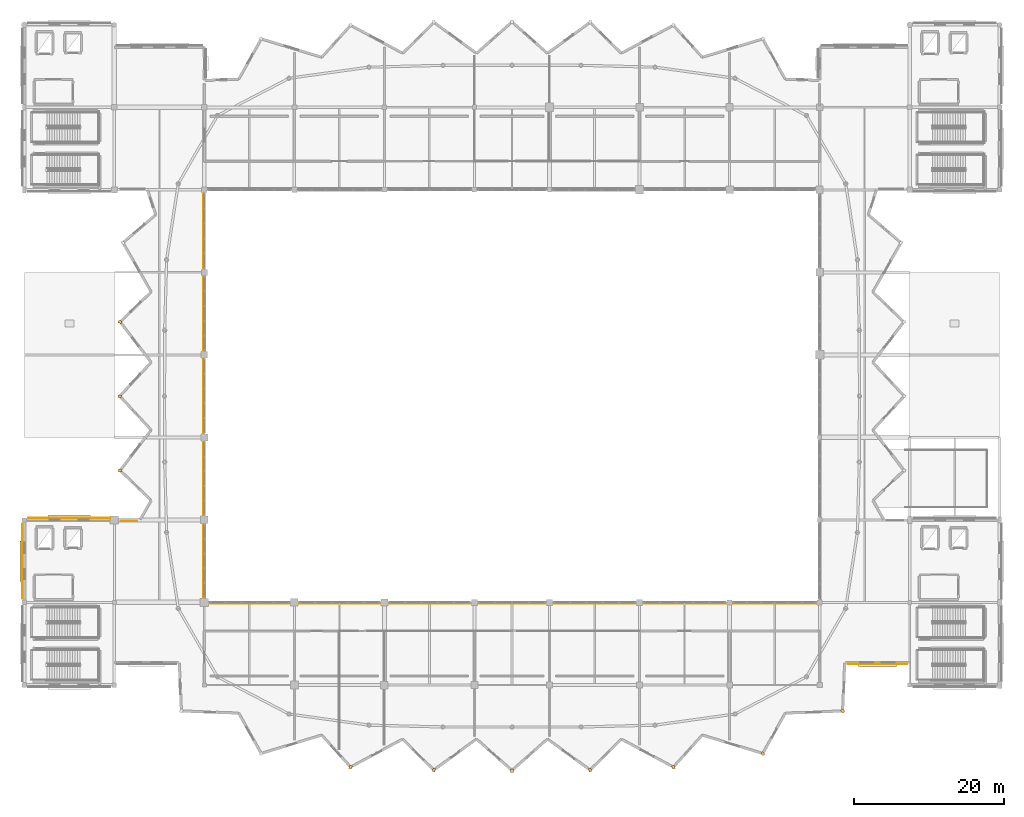
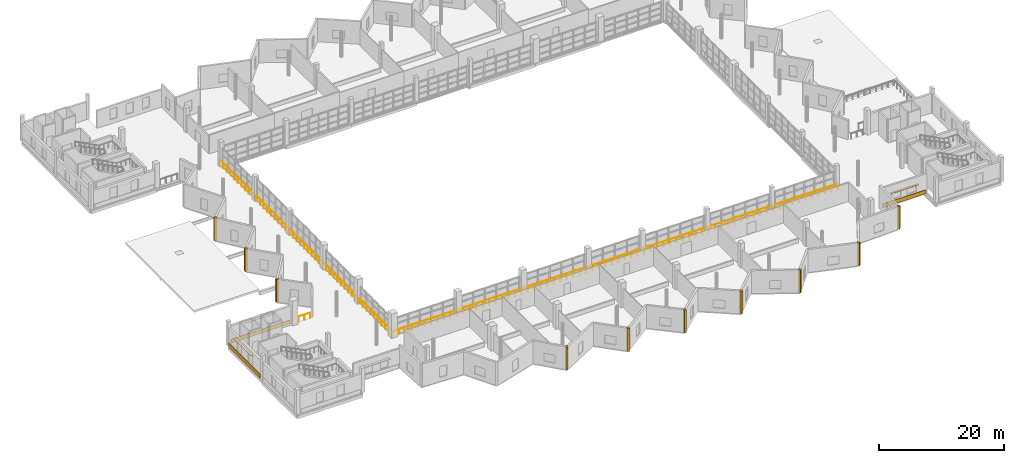
# One storey, part 47 of 53: 16 coverings, 3 railings.
"""IFC4 building model written with IfcOpenShell, lengths in metres."""

from ifc_helpers import new_model, si_unit, direction, frame, origin, origin_2d, place, context, subcontext, project, spatial, rectangle, circle, extrude, material, layer, layer_set, type_object, element, save


model = new_model("IFC4")

# Units and contexts
model_context = context("Model", 3, precision=1e-05, world=origin(), true_north=direction((0.0, 1.0)))
body_context = subcontext(model_context, "Body", "Model", "MODEL_VIEW")
ifc_project = project(units=[si_unit("LENGTHUNIT", "METRE"), si_unit("AREAUNIT", "SQUARE_METRE"), si_unit("VOLUMEUNIT", "CUBIC_METRE"), si_unit("PLANEANGLEUNIT", "RADIAN"), si_unit("MASSUNIT", "GRAM", prefix="KILO")], contexts=[model_context])

# Site, building, storey
site_placement = place(None, origin())
site = spatial("IfcSite", under=ifc_project, at=site_placement, CompositionType="ELEMENT")
building_placement = place(site_placement, origin())
building = spatial("IfcBuilding", under=site, at=building_placement, Name="Luwafu Chhajja Arena", CompositionType="ELEMENT")
storey_placement = place(building_placement, frame((0.0, 0.0, 19.5)))
storey = spatial("IfcBuildingStorey", under=building, at=storey_placement, Name="L04", CompositionType="ELEMENT", Elevation=19.5)

# Coverings
ifc_material_1 = material(Name="Red laterite sandstone cladding", Category="masonry")
ifc_layer = layer(ifc_material_1, 0.074951171875, Name="Red laterite sandstone cladding")
ifc_layer_set = layer_set([ifc_layer], Name="Red laterite sandstone cladding")
covering_type = type_object("IfcCoveringType", Name="Dressed Red-Laterite Sandstone Cladding", PredefinedType="CLADDING", material=ifc_layer_set)
for number, where, z_axis, x_axis, name in (
    (1, (46.750244140625, 59.396240234375, 0.0), (0.0, 0.0, 1.0), (-0.982532090849, 0.186093230539, 0.0), "L04 Pleated Bowl Sandstone Ridge Fin 16"),
    (2, (46.699951171875, 49.5, 0.0), (0.0, 0.0, 1.0), (-1.0, 0.0, 0.0), "L04 Pleated Bowl Sandstone Ridge Fin 17"),
    (3, (46.750244140625, 39.603759765625, 0.0), (0.0, 0.0, 1.0), (-0.982532090849, -0.186093230539, 0.0), "L04 Pleated Bowl Sandstone Ridge Fin 18"),
    (4, (77.489013671875, 0.051025390625, 0.0), (0.0, 0.0, 1.0), (-0.398902881432, -0.916993179465, 0.0), "L04 Pleated Bowl Sandstone Ridge Fin 23"),
    (5, (88.587890625, -0.3427734375, 0.0), (0.0, 0.0, 1.0), (-0.20448508974, -0.9788696788, 0.0), "L04 Pleated Bowl Sandstone Ridge Fin 24"),
    (6, (99.0, -0.39990234375, 0.0), (0.0, 0.0, 1.0), (0.0, -1.0, 0.0), "L04 Pleated Bowl Sandstone Ridge Fin 25"),
    (7, (109.412109375, -0.3427734375, 0.0), (0.0, 0.0, 1.0), (0.20448508974, -0.9788696788, 0.0), "L04 Pleated Bowl Sandstone Ridge Fin 26"),
    (8, (120.510986328125, 0.051025390625, 0.0), (0.0, 0.0, 1.0), (0.398902881432, -0.916993179465, 0.0), "L04 Pleated Bowl Sandstone Ridge Fin 27"),
    (9, (132.427490234375, 1.864013671875, 0.0), (0.0, 0.0, 1.0), (0.574411104334, -0.818566969293, 0.0), "L04 Pleated Bowl Sandstone Ridge Fin 28"),
    (10, (143.08349609375, 7.52392578125, 0.0), (0.0, 0.0, 1.0), (0.724206686844, -0.689582971607, 0.0), "L04 Pleated Bowl Sandstone Ridge Fin 29"),
):
    element("IfcCovering", number, at=place(storey_placement, frame(where, z_axis=z_axis, x_axis=x_axis)), inside=storey, type_object=covering_type, Name=name, PredefinedType="CLADDING", context=body_context, shape_type="SweptSolid", body=[
        extrude(rectangle(XDim=0.4599609375, YDim=0.360107421875, at=origin_2d()), origin(), (0.0, 0.0, 1.0), 4.455078125),
    ])
covering_1_placement = place(storey_placement, frame((40.0, 33.23193359375, 0.0), z_axis=(0.0, 0.0, 1.0), x_axis=(1.0, 0.0, 0.0)))
element("IfcCovering", 11, at=covering_1_placement, inside=storey, type_object=covering_type, Name="L04 Red-Laterite Sandstone Plinth Cladding 106", PredefinedType="CLADDING", context=body_context, shape_type="SweptSolid", body=[
    extrude(rectangle(XDim=10.9599609375, YDim=0.0849609375, at=origin_2d()), origin(), (0.0, 0.0, 1.0), 0.760009765625),
])
covering_2_placement = place(storey_placement, frame((40.0, 33.360107421875, 2.93017578125), z_axis=(0.0, 0.0, 1.0), x_axis=(1.0, 0.0, 0.0)))
element("IfcCovering", 12, at=covering_2_placement, inside=storey, type_object=covering_type, Name="L04 Mughal Sandstone Window Chhajja Hood 0098", PredefinedType="CLADDING", context=body_context, shape_type="SweptSolid", body=[
    extrude(rectangle(XDim=5.703369140625, YDim=0.419921875, at=origin_2d()), origin(), (0.0, 0.0, 1.0), 0.139892578125),
])
covering_3_placement = place(storey_placement, frame((33.76806640625, 27.5, 0.0), z_axis=(0.0, 0.0, 1.0), x_axis=(0.0, 1.0, 0.0)))
element("IfcCovering", 13, at=covering_3_placement, inside=storey, type_object=covering_type, Name="L04 Red-Laterite Sandstone Plinth Cladding 107", PredefinedType="CLADDING", context=body_context, shape_type="SweptSolid", body=[
    extrude(rectangle(XDim=9.9599609375, YDim=0.0849609375, at=origin_2d()), origin(), (0.0, 0.0, 1.0), 0.760009765625),
])
covering_4_placement = place(storey_placement, frame((33.639892578125, 27.5, 2.93017578125), z_axis=(0.0, 0.0, 1.0), x_axis=(0.0, 1.0, 0.0)))
element("IfcCovering", 14, at=covering_4_placement, inside=storey, type_object=covering_type, Name="L04 Mughal Sandstone Window Chhajja Hood 0099", PredefinedType="CLADDING", context=body_context, shape_type="SweptSolid", body=[
    extrude(rectangle(XDim=5.3701171875, YDim=0.419921875, at=origin_2d()), origin(), (0.0, 0.0, 1.0), 0.139892578125),
])
covering_5_placement = place(storey_placement, frame((147.712890625, 13.80810546875, 0.0), z_axis=(0.0, 0.0, 1.0), x_axis=(1.0, 0.0, 0.0)))
element("IfcCovering", 15, at=covering_5_placement, inside=storey, type_object=covering_type, Name="L04 Red-Laterite Sandstone Plinth Cladding 115", PredefinedType="CLADDING", context=body_context, shape_type="SweptSolid", body=[
    extrude(rectangle(XDim=7.97412109375, YDim=0.0849609375, at=origin_2d()), origin(), (0.0, 0.0, 1.0), 0.760009765625),
])
covering_6_placement = place(storey_placement, frame((147.712890625, 13.679931640625, 2.330078125), z_axis=(0.0, 0.0, 1.0), x_axis=(1.0, 0.0, 0.0)))
element("IfcCovering", 16, at=covering_6_placement, inside=storey, type_object=covering_type, Name="L04 Mughal Sandstone Window Chhajja Hood 0107", PredefinedType="CLADDING", context=body_context, shape_type="SweptSolid", body=[
    extrude(rectangle(XDim=5.05810546875, YDim=0.419921875, at=origin_2d()), origin(), (0.0, 0.0, 1.0), 0.139892578125),
])

# Railings
ifc_material_2 = material(Name="Stainless steel balustrade", Category="steel")
railing_type_1 = type_object("IfcRailingType", Name="Seating Bowl Sightline Barrier 1100", PredefinedType="BALUSTRADE", material=ifc_material_2)
railing_1_placement = place(storey_placement, frame((57.85009765625, 21.85009765625, 0.0)))
element("IfcRailing", 17, at=railing_1_placement, inside=storey, type_object=railing_type_1, Name="L04 Bowl Rim Guard 0040", PredefinedType="BALUSTRADE", context=body_context, shape_type="SweptSolid", body=[
    extrude(circle(Radius=0.02392578125, at=origin_2d()), frame((0.0, 0.0, 1.09619140625), z_axis=(1.0, 0.0, 0.0), x_axis=(0.0, 1.0, 0.0)), (0.0, 0.0, 1.0), 82.2998046875),
    extrude(circle(Radius=0.02099609375, at=origin_2d()), origin(), (0.0, 0.0, 1.0), 1.072021484375),
    extrude(circle(Radius=0.02099609375, at=origin_2d()), frame((1.19287109375, 0.0, 0.0)), (0.0, 0.0, 1.0), 1.072021484375),
    extrude(circle(Radius=0.02099609375, at=origin_2d()), frame((2.385498046875, 0.0, 0.0)), (0.0, 0.0, 1.0), 1.072021484375),
    extrude(circle(Radius=0.02099609375, at=origin_2d()), frame((3.578369140625, 0.0, 0.0)), (0.0, 0.0, 1.0), 1.072021484375),
    extrude(circle(Radius=0.02099609375, at=origin_2d()), frame((4.77099609375, 0.0, 0.0)), (0.0, 0.0, 1.0), 1.072021484375),
    extrude(circle(Radius=0.02099609375, at=origin_2d()), frame((5.9638671875, 0.0, 0.0)), (0.0, 0.0, 1.0), 1.072021484375),
    extrude(circle(Radius=0.02099609375, at=origin_2d()), frame((7.156494140625, 0.0, 0.0)), (0.0, 0.0, 1.0), 1.072021484375),
    extrude(circle(Radius=0.02099609375, at=origin_2d()), frame((8.349365234375, 0.0, 0.0)), (0.0, 0.0, 1.0), 1.072021484375),
    extrude(circle(Radius=0.02099609375, at=origin_2d()), frame((9.5419921875, 0.0, 0.0)), (0.0, 0.0, 1.0), 1.072021484375),
    extrude(circle(Radius=0.02099609375, at=origin_2d()), frame((10.73486328125, 0.0, 0.0)), (0.0, 0.0, 1.0), 1.072021484375),
    extrude(circle(Radius=0.02099609375, at=origin_2d()), frame((11.927490234375, 0.0, 0.0)), (0.0, 0.0, 1.0), 1.072021484375),
    extrude(circle(Radius=0.02099609375, at=origin_2d()), frame((13.120361328125, 0.0, 0.0)), (0.0, 0.0, 1.0), 1.072021484375),
    extrude(circle(Radius=0.02099609375, at=origin_2d()), frame((14.31298828125, 0.0, 0.0)), (0.0, 0.0, 1.0), 1.072021484375),
    extrude(circle(Radius=0.02099609375, at=origin_2d()), frame((15.505859375, 0.0, 0.0)), (0.0, 0.0, 1.0), 1.072021484375),
    extrude(circle(Radius=0.02099609375, at=origin_2d()), frame((16.698486328125, 0.0, 0.0)), (0.0, 0.0, 1.0), 1.072021484375),
    extrude(circle(Radius=0.02099609375, at=origin_2d()), frame((17.891357421875, 0.0, 0.0)), (0.0, 0.0, 1.0), 1.072021484375),
    extrude(circle(Radius=0.02099609375, at=origin_2d()), frame((19.083984375, 0.0, 0.0)), (0.0, 0.0, 1.0), 1.072021484375),
    extrude(circle(Radius=0.02099609375, at=origin_2d()), frame((20.27685546875, 0.0, 0.0)), (0.0, 0.0, 1.0), 1.072021484375),
    extrude(circle(Radius=0.02099609375, at=origin_2d()), frame((21.469482421875, 0.0, 0.0)), (0.0, 0.0, 1.0), 1.072021484375),
    extrude(circle(Radius=0.02099609375, at=origin_2d()), frame((22.662353515625, 0.0, 0.0)), (0.0, 0.0, 1.0), 1.072021484375),
    extrude(circle(Radius=0.02099609375, at=origin_2d()), frame((23.85498046875, 0.0, 0.0)), (0.0, 0.0, 1.0), 1.072021484375),
    extrude(circle(Radius=0.02099609375, at=origin_2d()), frame((25.0478515625, 0.0, 0.0)), (0.0, 0.0, 1.0), 1.072021484375),
    extrude(circle(Radius=0.02099609375, at=origin_2d()), frame((26.240478515625, 0.0, 0.0)), (0.0, 0.0, 1.0), 1.072021484375),
    extrude(circle(Radius=0.02099609375, at=origin_2d()), frame((27.433349609375, 0.0, 0.0)), (0.0, 0.0, 1.0), 1.072021484375),
    extrude(circle(Radius=0.02099609375, at=origin_2d()), frame((28.6259765625, 0.0, 0.0)), (0.0, 0.0, 1.0), 1.072021484375),
    extrude(circle(Radius=0.02099609375, at=origin_2d()), frame((29.81884765625, 0.0, 0.0)), (0.0, 0.0, 1.0), 1.072021484375),
    extrude(circle(Radius=0.02099609375, at=origin_2d()), frame((31.011474609375, 0.0, 0.0)), (0.0, 0.0, 1.0), 1.072021484375),
    extrude(circle(Radius=0.02099609375, at=origin_2d()), frame((32.204345703125, 0.0, 0.0)), (0.0, 0.0, 1.0), 1.072021484375),
    extrude(circle(Radius=0.02099609375, at=origin_2d()), frame((33.39697265625, 0.0, 0.0)), (0.0, 0.0, 1.0), 1.072021484375),
    extrude(circle(Radius=0.02099609375, at=origin_2d()), frame((34.58984375, 0.0, 0.0)), (0.0, 0.0, 1.0), 1.072021484375),
    extrude(circle(Radius=0.02099609375, at=origin_2d()), frame((35.782470703125, 0.0, 0.0)), (0.0, 0.0, 1.0), 1.072021484375),
    extrude(circle(Radius=0.02099609375, at=origin_2d()), frame((36.975341796875, 0.0, 0.0)), (0.0, 0.0, 1.0), 1.072021484375),
    extrude(circle(Radius=0.02099609375, at=origin_2d()), frame((38.16796875, 0.0, 0.0)), (0.0, 0.0, 1.0), 1.072021484375),
    extrude(circle(Radius=0.02099609375, at=origin_2d()), frame((39.36083984375, 0.0, 0.0)), (0.0, 0.0, 1.0), 1.072021484375),
    extrude(circle(Radius=0.02099609375, at=origin_2d()), frame((40.553466796875, 0.0, 0.0)), (0.0, 0.0, 1.0), 1.072021484375),
    extrude(circle(Radius=0.02099609375, at=origin_2d()), frame((41.746337890625, 0.0, 0.0)), (0.0, 0.0, 1.0), 1.072021484375),
    extrude(circle(Radius=0.02099609375, at=origin_2d()), frame((42.93896484375, 0.0, 0.0)), (0.0, 0.0, 1.0), 1.072021484375),
    extrude(circle(Radius=0.02099609375, at=origin_2d()), frame((44.1318359375, 0.0, 0.0)), (0.0, 0.0, 1.0), 1.072021484375),
    extrude(circle(Radius=0.02099609375, at=origin_2d()), frame((45.324462890625, 0.0, 0.0)), (0.0, 0.0, 1.0), 1.072021484375),
    extrude(circle(Radius=0.02099609375, at=origin_2d()), frame((46.517333984375, 0.0, 0.0)), (0.0, 0.0, 1.0), 1.072021484375),
    extrude(circle(Radius=0.02099609375, at=origin_2d()), frame((47.7099609375, 0.0, 0.0)), (0.0, 0.0, 1.0), 1.072021484375),
    extrude(circle(Radius=0.02099609375, at=origin_2d()), frame((48.90283203125, 0.0, 0.0)), (0.0, 0.0, 1.0), 1.072021484375),
    extrude(circle(Radius=0.02099609375, at=origin_2d()), frame((50.095458984375, 0.0, 0.0)), (0.0, 0.0, 1.0), 1.072021484375),
    extrude(circle(Radius=0.02099609375, at=origin_2d()), frame((51.288330078125, 0.0, 0.0)), (0.0, 0.0, 1.0), 1.072021484375),
    extrude(circle(Radius=0.02099609375, at=origin_2d()), frame((52.48095703125, 0.0, 0.0)), (0.0, 0.0, 1.0), 1.072021484375),
    extrude(circle(Radius=0.02099609375, at=origin_2d()), frame((53.673828125, 0.0, 0.0)), (0.0, 0.0, 1.0), 1.072021484375),
    extrude(circle(Radius=0.02099609375, at=origin_2d()), frame((54.866455078125, 0.0, 0.0)), (0.0, 0.0, 1.0), 1.072021484375),
    extrude(circle(Radius=0.02099609375, at=origin_2d()), frame((56.059326171875, 0.0, 0.0)), (0.0, 0.0, 1.0), 1.072021484375),
    extrude(circle(Radius=0.02099609375, at=origin_2d()), frame((57.251953125, 0.0, 0.0)), (0.0, 0.0, 1.0), 1.072021484375),
    extrude(circle(Radius=0.02099609375, at=origin_2d()), frame((58.44482421875, 0.0, 0.0)), (0.0, 0.0, 1.0), 1.072021484375),
    extrude(circle(Radius=0.02099609375, at=origin_2d()), frame((59.637451171875, 0.0, 0.0)), (0.0, 0.0, 1.0), 1.072021484375),
    extrude(circle(Radius=0.02099609375, at=origin_2d()), frame((60.830322265625, 0.0, 0.0)), (0.0, 0.0, 1.0), 1.072021484375),
    extrude(circle(Radius=0.02099609375, at=origin_2d()), frame((62.02294921875, 0.0, 0.0)), (0.0, 0.0, 1.0), 1.072021484375),
    extrude(circle(Radius=0.02099609375, at=origin_2d()), frame((63.2158203125, 0.0, 0.0)), (0.0, 0.0, 1.0), 1.072021484375),
    extrude(circle(Radius=0.02099609375, at=origin_2d()), frame((64.408447265625, 0.0, 0.0)), (0.0, 0.0, 1.0), 1.072021484375),
    extrude(circle(Radius=0.02099609375, at=origin_2d()), frame((65.601318359375, 0.0, 0.0)), (0.0, 0.0, 1.0), 1.072021484375),
    extrude(circle(Radius=0.02099609375, at=origin_2d()), frame((66.7939453125, 0.0, 0.0)), (0.0, 0.0, 1.0), 1.072021484375),
    extrude(circle(Radius=0.02099609375, at=origin_2d()), frame((67.98681640625, 0.0, 0.0)), (0.0, 0.0, 1.0), 1.072021484375),
    extrude(circle(Radius=0.02099609375, at=origin_2d()), frame((69.179443359375, 0.0, 0.0)), (0.0, 0.0, 1.0), 1.072021484375),
    extrude(circle(Radius=0.02099609375, at=origin_2d()), frame((70.372314453125, 0.0, 0.0)), (0.0, 0.0, 1.0), 1.072021484375),
    extrude(circle(Radius=0.02099609375, at=origin_2d()), frame((71.56494140625, 0.0, 0.0)), (0.0, 0.0, 1.0), 1.072021484375),
    extrude(circle(Radius=0.02099609375, at=origin_2d()), frame((72.7578125, 0.0, 0.0)), (0.0, 0.0, 1.0), 1.072021484375),
    extrude(circle(Radius=0.02099609375, at=origin_2d()), frame((73.950439453125, 0.0, 0.0)), (0.0, 0.0, 1.0), 1.072021484375),
    extrude(circle(Radius=0.02099609375, at=origin_2d()), frame((75.143310546875, 0.0, 0.0)), (0.0, 0.0, 1.0), 1.072021484375),
    extrude(circle(Radius=0.02099609375, at=origin_2d()), frame((76.3359375, 0.0, 0.0)), (0.0, 0.0, 1.0), 1.072021484375),
    extrude(circle(Radius=0.02099609375, at=origin_2d()), frame((77.52880859375, 0.0, 0.0)), (0.0, 0.0, 1.0), 1.072021484375),
    extrude(circle(Radius=0.02099609375, at=origin_2d()), frame((78.721435546875, 0.0, 0.0)), (0.0, 0.0, 1.0), 1.072021484375),
    extrude(circle(Radius=0.02099609375, at=origin_2d()), frame((79.914306640625, 0.0, 0.0)), (0.0, 0.0, 1.0), 1.072021484375),
    extrude(circle(Radius=0.02099609375, at=origin_2d()), frame((81.10693359375, 0.0, 0.0)), (0.0, 0.0, 1.0), 1.072021484375),
    extrude(circle(Radius=0.02099609375, at=origin_2d()), frame((82.2998046875, 0.0, 0.0)), (0.0, 0.0, 1.0), 1.072021484375),
])
railing_2_placement = place(storey_placement, frame((57.85009765625, 77.14990234375, 0.0)))
element("IfcRailing", 18, at=railing_2_placement, inside=storey, type_object=railing_type_1, Name="L04 Bowl Rim Guard 0043", PredefinedType="BALUSTRADE", context=body_context, shape_type="SweptSolid", body=[
    extrude(circle(Radius=0.02392578125, at=origin_2d()), frame((0.0, 0.0, 1.09619140625), z_axis=(0.0, -1.0, 0.0), x_axis=(1.0, 0.0, 0.0)), (0.0, 0.0, 1.0), 55.2998046875),
    extrude(circle(Radius=0.02099609375, at=origin_2d()), origin(), (0.0, 0.0, 1.0), 1.072021484375),
    extrude(circle(Radius=0.02099609375, at=origin_2d()), frame((0.0, -1.176513671875, 0.0)), (0.0, 0.0, 1.0), 1.072021484375),
    extrude(circle(Radius=0.02099609375, at=origin_2d()), frame((0.0, -2.353271484375, 0.0)), (0.0, 0.0, 1.0), 1.072021484375),
    extrude(circle(Radius=0.02099609375, at=origin_2d()), frame((0.0, -3.52978515625, 0.0)), (0.0, 0.0, 1.0), 1.072021484375),
    extrude(circle(Radius=0.02099609375, at=origin_2d()), frame((0.0, -4.706298828125, 0.0)), (0.0, 0.0, 1.0), 1.072021484375),
    extrude(circle(Radius=0.02099609375, at=origin_2d()), frame((0.0, -5.883056640625, 0.0)), (0.0, 0.0, 1.0), 1.072021484375),
    extrude(circle(Radius=0.02099609375, at=origin_2d()), frame((0.0, -7.0595703125, 0.0)), (0.0, 0.0, 1.0), 1.072021484375),
    extrude(circle(Radius=0.02099609375, at=origin_2d()), frame((0.0, -8.236083984375, 0.0)), (0.0, 0.0, 1.0), 1.072021484375),
    extrude(circle(Radius=0.02099609375, at=origin_2d()), frame((0.0, -9.412841796875, 0.0)), (0.0, 0.0, 1.0), 1.072021484375),
    extrude(circle(Radius=0.02099609375, at=origin_2d()), frame((0.0, -10.58935546875, 0.0)), (0.0, 0.0, 1.0), 1.072021484375),
    extrude(circle(Radius=0.02099609375, at=origin_2d()), frame((0.0, -11.765869140625, 0.0)), (0.0, 0.0, 1.0), 1.072021484375),
    extrude(circle(Radius=0.02099609375, at=origin_2d()), frame((0.0, -12.942626953125, 0.0)), (0.0, 0.0, 1.0), 1.072021484375),
    extrude(circle(Radius=0.02099609375, at=origin_2d()), frame((0.0, -14.119140625, 0.0)), (0.0, 0.0, 1.0), 1.072021484375),
    extrude(circle(Radius=0.02099609375, at=origin_2d()), frame((0.0, -15.295654296875, 0.0)), (0.0, 0.0, 1.0), 1.072021484375),
    extrude(circle(Radius=0.02099609375, at=origin_2d()), frame((0.0, -16.47216796875, 0.0)), (0.0, 0.0, 1.0), 1.072021484375),
    extrude(circle(Radius=0.02099609375, at=origin_2d()), frame((0.0, -17.64892578125, 0.0)), (0.0, 0.0, 1.0), 1.072021484375),
    extrude(circle(Radius=0.02099609375, at=origin_2d()), frame((0.0, -18.825439453125, 0.0)), (0.0, 0.0, 1.0), 1.072021484375),
    extrude(circle(Radius=0.02099609375, at=origin_2d()), frame((0.0, -20.001953125, 0.0)), (0.0, 0.0, 1.0), 1.072021484375),
    extrude(circle(Radius=0.02099609375, at=origin_2d()), frame((0.0, -21.1787109375, 0.0)), (0.0, 0.0, 1.0), 1.072021484375),
    extrude(circle(Radius=0.02099609375, at=origin_2d()), frame((0.0, -22.355224609375, 0.0)), (0.0, 0.0, 1.0), 1.072021484375),
    extrude(circle(Radius=0.02099609375, at=origin_2d()), frame((0.0, -23.53173828125, 0.0)), (0.0, 0.0, 1.0), 1.072021484375),
    extrude(circle(Radius=0.02099609375, at=origin_2d()), frame((0.0, -24.70849609375, 0.0)), (0.0, 0.0, 1.0), 1.072021484375),
    extrude(circle(Radius=0.02099609375, at=origin_2d()), frame((0.0, -25.885009765625, 0.0)), (0.0, 0.0, 1.0), 1.072021484375),
    extrude(circle(Radius=0.02099609375, at=origin_2d()), frame((0.0, -27.0615234375, 0.0)), (0.0, 0.0, 1.0), 1.072021484375),
    extrude(circle(Radius=0.02099609375, at=origin_2d()), frame((0.0, -28.23828125, 0.0)), (0.0, 0.0, 1.0), 1.072021484375),
    extrude(circle(Radius=0.02099609375, at=origin_2d()), frame((0.0, -29.414794921875, 0.0)), (0.0, 0.0, 1.0), 1.072021484375),
    extrude(circle(Radius=0.02099609375, at=origin_2d()), frame((0.0, -30.59130859375, 0.0)), (0.0, 0.0, 1.0), 1.072021484375),
    extrude(circle(Radius=0.02099609375, at=origin_2d()), frame((0.0, -31.76806640625, 0.0)), (0.0, 0.0, 1.0), 1.072021484375),
    extrude(circle(Radius=0.02099609375, at=origin_2d()), frame((0.0, -32.944580078125, 0.0)), (0.0, 0.0, 1.0), 1.072021484375),
    extrude(circle(Radius=0.02099609375, at=origin_2d()), frame((0.0, -34.12109375, 0.0)), (0.0, 0.0, 1.0), 1.072021484375),
    extrude(circle(Radius=0.02099609375, at=origin_2d()), frame((0.0, -35.2978515625, 0.0)), (0.0, 0.0, 1.0), 1.072021484375),
    extrude(circle(Radius=0.02099609375, at=origin_2d()), frame((0.0, -36.474365234375, 0.0)), (0.0, 0.0, 1.0), 1.072021484375),
    extrude(circle(Radius=0.02099609375, at=origin_2d()), frame((0.0, -37.65087890625, 0.0)), (0.0, 0.0, 1.0), 1.072021484375),
    extrude(circle(Radius=0.02099609375, at=origin_2d()), frame((0.0, -38.82763671875, 0.0)), (0.0, 0.0, 1.0), 1.072021484375),
    extrude(circle(Radius=0.02099609375, at=origin_2d()), frame((0.0, -40.004150390625, 0.0)), (0.0, 0.0, 1.0), 1.072021484375),
    extrude(circle(Radius=0.02099609375, at=origin_2d()), frame((0.0, -41.1806640625, 0.0)), (0.0, 0.0, 1.0), 1.072021484375),
    extrude(circle(Radius=0.02099609375, at=origin_2d()), frame((0.0, -42.357177734375, 0.0)), (0.0, 0.0, 1.0), 1.072021484375),
    extrude(circle(Radius=0.02099609375, at=origin_2d()), frame((0.0, -43.533935546875, 0.0)), (0.0, 0.0, 1.0), 1.072021484375),
    extrude(circle(Radius=0.02099609375, at=origin_2d()), frame((0.0, -44.71044921875, 0.0)), (0.0, 0.0, 1.0), 1.072021484375),
    extrude(circle(Radius=0.02099609375, at=origin_2d()), frame((0.0, -45.886962890625, 0.0)), (0.0, 0.0, 1.0), 1.072021484375),
    extrude(circle(Radius=0.02099609375, at=origin_2d()), frame((0.0, -47.063720703125, 0.0)), (0.0, 0.0, 1.0), 1.072021484375),
    extrude(circle(Radius=0.02099609375, at=origin_2d()), frame((0.0, -48.240234375, 0.0)), (0.0, 0.0, 1.0), 1.072021484375),
    extrude(circle(Radius=0.02099609375, at=origin_2d()), frame((0.0, -49.416748046875, 0.0)), (0.0, 0.0, 1.0), 1.072021484375),
    extrude(circle(Radius=0.02099609375, at=origin_2d()), frame((0.0, -50.593505859375, 0.0)), (0.0, 0.0, 1.0), 1.072021484375),
    extrude(circle(Radius=0.02099609375, at=origin_2d()), frame((0.0, -51.77001953125, 0.0)), (0.0, 0.0, 1.0), 1.072021484375),
    extrude(circle(Radius=0.02099609375, at=origin_2d()), frame((0.0, -52.946533203125, 0.0)), (0.0, 0.0, 1.0), 1.072021484375),
    extrude(circle(Radius=0.02099609375, at=origin_2d()), frame((0.0, -54.123291015625, 0.0)), (0.0, 0.0, 1.0), 1.072021484375),
    extrude(circle(Radius=0.02099609375, at=origin_2d()), frame((0.0, -55.2998046875, 0.0)), (0.0, 0.0, 1.0), 1.072021484375),
])
railing_type_2 = type_object("IfcRailingType", Name="Stair and Terrace Guard Balustrade 1100", PredefinedType="BALUSTRADE", material=ifc_material_2)
railing_3_placement = place(storey_placement, frame((46.85009765625, 32.89990234375, 0.0)))
element("IfcRailing", 19, at=railing_3_placement, inside=storey, type_object=railing_type_2, Name="L04 Outer Slab Edge Guard 003", PredefinedType="BALUSTRADE", context=body_context, shape_type="SweptSolid", body=[
    extrude(circle(Radius=0.02392578125, at=origin_2d()), frame((0.0, 0.0, 1.09619140625), z_axis=(1.0, 0.0, 0.0), x_axis=(0.0, 1.0, 0.0)), (0.0, 0.0, 1.0), 2.18798828125),
    extrude(circle(Radius=0.02099609375, at=origin_2d()), origin(), (0.0, 0.0, 1.0), 1.072021484375),
    extrude(circle(Radius=0.02099609375, at=origin_2d()), frame((1.093994140625, 0.0, 0.0)), (0.0, 0.0, 1.0), 1.072021484375),
    extrude(circle(Radius=0.02099609375, at=origin_2d()), frame((2.18798828125, 0.0, 0.0)), (0.0, 0.0, 1.0), 1.072021484375),
])

save(model, "model.ifc")
